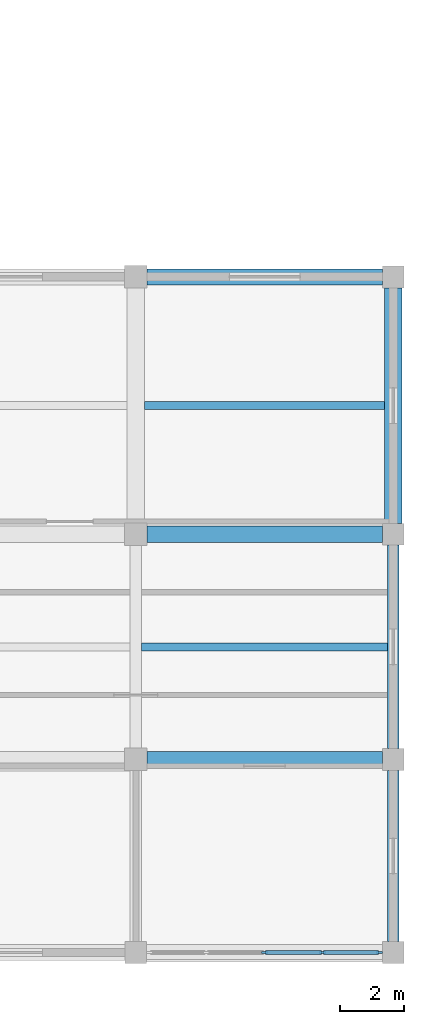
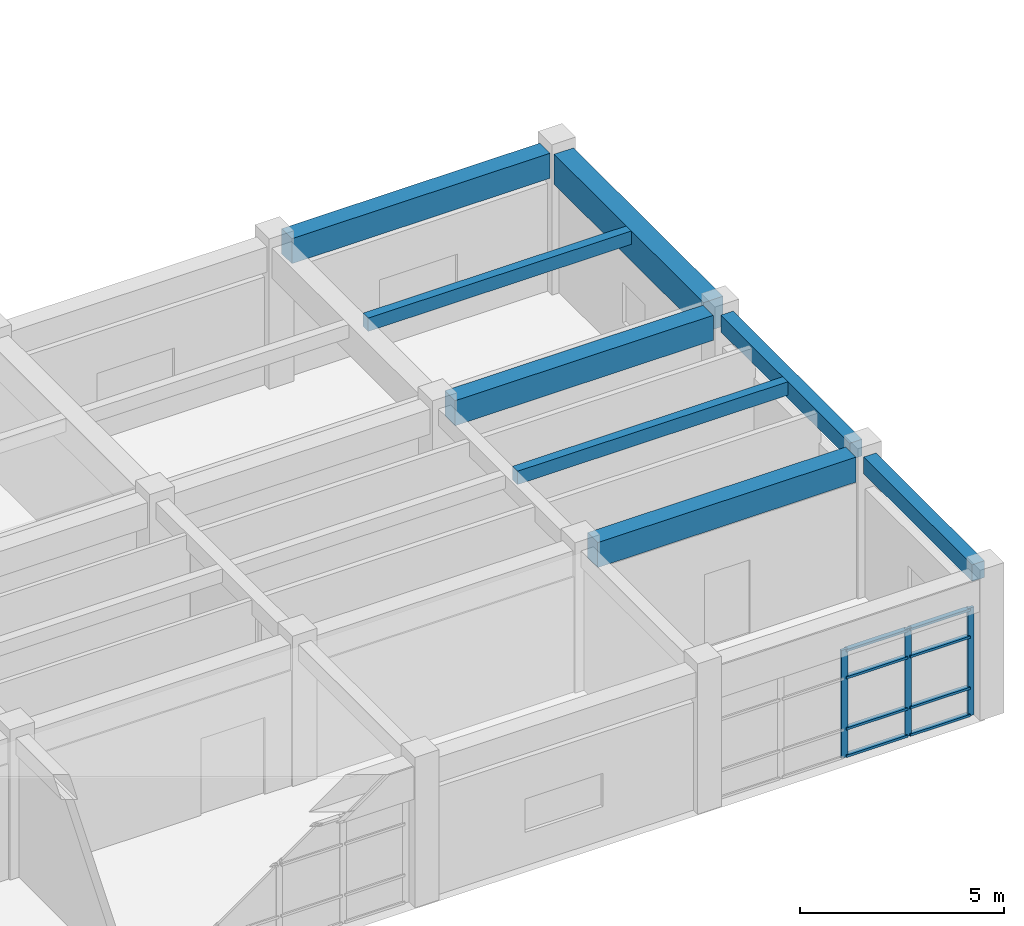
# One storey, part 35 of 72: 11 members, 8 beams, 1 element without a shape of its own.
"""IFC4 building model written with IfcOpenShell, lengths in metres."""

from ifc_helpers import new_model, si_unit, direction, frame, origin, origin_2d, place, context, subcontext, project, spatial, rectangle, extrude, material, layer, layer_set, material_profile, profile_set, type_object, element, aggregate, save


model = new_model("IFC4")

# Units and contexts
model_context = context("Model", 3, precision=1e-05, world=origin(), true_north=direction((0.0, 1.0)))
body_context = subcontext(model_context, "Body", "Model", "MODEL_VIEW")
ifc_project = project(units=[si_unit("LENGTHUNIT", "METRE"), si_unit("AREAUNIT", "SQUARE_METRE"), si_unit("VOLUMEUNIT", "CUBIC_METRE"), si_unit("PLANEANGLEUNIT", "RADIAN"), si_unit("MASSUNIT", "GRAM", prefix="KILO")], contexts=[model_context])

# Site, building, storey
site_placement = place(None, origin())
site = spatial("IfcSite", under=ifc_project, at=site_placement, CompositionType="ELEMENT")
building_placement = place(site_placement, origin())
building = spatial("IfcBuilding", under=site, at=building_placement, Name="Naurynzar Civic Courthouse", CompositionType="ELEMENT")
storey_placement = place(building_placement, frame((0.0, 0.0, 9.89990234375)))
storey = spatial("IfcBuildingStorey", under=building, at=storey_placement, Name="L03", CompositionType="ELEMENT", Elevation=9.89990234375)

# Beams
ifc_material_1 = material(Name="Concrete C40/50", Category="concrete")
ifc_material_profile_1 = material_profile(ifc_material_1, rectangle(XDim=0.25, YDim=0.39990234375, at=origin_2d()), Name="RCB 250x400")
ifc_profile_set_1 = profile_set([ifc_material_profile_1], Name="Concrete C40/50")
beam_type_1 = type_object("IfcBeamType", Name="BM-JST-250x400", PredefinedType="JOIST", material=ifc_profile_set_1)
beam_1_placement = place(storey_placement, frame((162.175048828125, 13.5, 4.0), z_axis=(1.0, 0.0, 0.0), x_axis=(0.0, 1.0, 0.0)))
element("IfcBeam", 1, at=beam_1_placement, inside=storey, type_object=beam_type_1, Name="V5 secondary rib 2475 L03", PredefinedType="JOIST", context=body_context, shape_type="SweptSolid", body=[
    extrude(rectangle(XDim=0.25, YDim=0.39990234375, at=origin_2d()), origin(), (0.0, 0.0, 1.0), 7.64990234375),
])
beam_2_placement = place(storey_placement, frame((162.27490234375, 21.0, 4.0), z_axis=(1.0, 0.0, 0.0), x_axis=(0.0, 1.0, 0.0)))
element("IfcBeam", 2, at=beam_2_placement, inside=storey, type_object=beam_type_1, Name="V5 secondary rib 2478 L03", PredefinedType="JOIST", context=body_context, shape_type="SweptSolid", body=[
    extrude(rectangle(XDim=0.25, YDim=0.39990234375, at=origin_2d()), origin(), (0.0, 0.0, 1.0), 7.4501953125),
])
ifc_material_2 = material(Name="Concrete C40/50", Category="concrete")
ifc_material_profile_2 = material_profile(ifc_material_2, rectangle(XDim=0.35009765625, YDim=0.5, at=origin_2d()), Name="RCB 350x500")
ifc_profile_set_2 = profile_set([ifc_material_profile_2], Name="Concrete C40/50")
beam_type_2 = type_object("IfcBeamType", Name="BM-RC-350x500", PredefinedType="BEAM", material=ifc_profile_set_2)
beam_3_placement = place(storey_placement, frame((170.0, 4.33740234375, 3.9501953125), z_axis=(0.0, 1.0, 0.0), x_axis=(-1.0, 0.0, 0.0)))
element("IfcBeam", 3, at=beam_3_placement, inside=storey, type_object=beam_type_2, Name="V5 girder Y-2465 L03", PredefinedType="BEAM", context=body_context, shape_type="SweptSolid", body=[
    extrude(rectangle(XDim=0.35009765625, YDim=0.5, at=origin_2d()), origin(), (0.0, 0.0, 1.0), 5.3251953125),
])
beam_4_placement = place(storey_placement, frame((170.0, 10.33740234375, 3.9501953125), z_axis=(0.0, 1.0, 0.0), x_axis=(-1.0, 0.0, 0.0)))
element("IfcBeam", 4, at=beam_4_placement, inside=storey, type_object=beam_type_2, Name="V5 girder Y-2466 L03", PredefinedType="BEAM", context=body_context, shape_type="SweptSolid", body=[
    extrude(rectangle(XDim=0.35009765625, YDim=0.5, at=origin_2d()), origin(), (0.0, 0.0, 1.0), 6.3251953125),
])
ifc_material_3 = material(Name="Concrete C40/50", Category="concrete")
ifc_material_profile_3 = material_profile(ifc_material_3, rectangle(XDim=0.5, YDim=0.75, at=origin_2d()), Name="RCB 500x750")
ifc_profile_set_3 = profile_set([ifc_material_profile_3], Name="Concrete C40/50")
beam_type_3 = type_object("IfcBeamType", Name="BM-RC-500x750", PredefinedType="BEAM", material=ifc_profile_set_3)
for number, where, z_axis, x_axis, name in (
    (5, (162.35009765625, 10.0, 3.8251953125), (1.0, 0.0, 0.0), (0.0, 1.0, 0.0), "V5 beam X-2386 L03"),
    (6, (162.35009765625, 17.0, 3.8251953125), (1.0, 0.0, 0.0), (0.0, 1.0, 0.0), "V5 beam X-2391 L03"),
    (7, (162.35009765625, 25.0, 3.8251953125), (1.0, 0.0, 0.0), (0.0, 1.0, 0.0), "V5 beam X-2396 L03"),
):
    element("IfcBeam", number, at=place(storey_placement, frame(where, z_axis=z_axis, x_axis=x_axis)), inside=storey, type_object=beam_type_3, Name=name, PredefinedType="BEAM", context=body_context, shape_type="SweptSolid", body=[
        extrude(rectangle(XDim=0.5, YDim=0.75, at=origin_2d()), origin(), (0.0, 0.0, 1.0), 7.3125),
    ])
ifc_material_4 = material(Name="Concrete C40/50", Category="concrete")
ifc_material_profile_4 = material_profile(ifc_material_4, rectangle(XDim=0.550048828125, YDim=0.89990234375, at=origin_2d()), Name="RCB 550x900")
ifc_profile_set_4 = profile_set([ifc_material_profile_4], Name="Concrete C40/50")
beam_type_4 = type_object("IfcBeamType", Name="BM-RC-550x900", PredefinedType="T_BEAM", material=ifc_profile_set_4)
beam_5_placement = place(storey_placement, frame((170.0, 17.33740234375, 3.75), z_axis=(0.0, 1.0, 0.0), x_axis=(-1.0, 0.0, 0.0)))
element("IfcBeam", 8, at=beam_5_placement, inside=storey, type_object=beam_type_4, Name="V5 girder Y-2467 L03", PredefinedType="T_BEAM", context=body_context, shape_type="SweptSolid", body=[
    extrude(rectangle(XDim=0.550048828125, YDim=0.89990234375, at=origin_2d()), origin(), (0.0, 0.0, 1.0), 7.3251953125),
])

# Curtain wall, members
ifc_material_5 = material(Name="Aluminium 6063-T6", Category="aluminium")
ifc_layer = layer(ifc_material_5, 0.159912109375)
ifc_layer_set = layer_set([ifc_layer], Name="CW-UNIT-1800")
curtain_wall_type = type_object("IfcCurtainWallType", Name="CW-UNIT-1800", PredefinedType="NOTDEFINED", material=ifc_layer_set)
curtain_wall_placement = place(storey_placement, origin())
curtain_wall = element("IfcCurtainWall", 9, at=curtain_wall_placement, inside=storey, type_object=curtain_wall_type, Name="V5 unitised curtain wall 94 L03", PredefinedType="NOTDEFINED")
ifc_material_6 = material(Name="Aluminium 6063-T6", Category="aluminium")
ifc_material_profile_5 = material_profile(ifc_material_6, rectangle(XDim=0.070068359375, YDim=0.179931640625, at=origin_2d()), Name="ALU MULLION 70x180")
ifc_profile_set_5 = profile_set([ifc_material_profile_5], Name="Aluminium 6063-T6")
member_type_1 = type_object("IfcMemberType", Name="CWM-70x180", PredefinedType="MULLION", material=ifc_profile_set_5)
member_1_placement = place(storey_placement, frame((169.577392578125, 4.0, 0.0), z_axis=(0.0, 0.0, 1.0), x_axis=(0.0, -1.0, 0.0)))
member_1 = element("IfcMember", 10, at=member_1_placement, type_object=member_type_1, Name="CW-02 mullion 1", PredefinedType="MULLION", context=body_context, shape_type="SweptSolid", body=[
    extrude(rectangle(XDim=0.070068359375, YDim=0.179931640625, at=origin_2d()), origin(), (0.0, 0.0, 1.0), 3.22998046875),
])
member_2_placement = place(storey_placement, frame((167.80615234375, 4.0, 0.0), z_axis=(0.0, 0.0, 1.0), x_axis=(0.0, -1.0, 0.0)))
member_2 = element("IfcMember", 11, at=member_2_placement, type_object=member_type_1, Name="CW-02 mullion 2", PredefinedType="MULLION", context=body_context, shape_type="SweptSolid", body=[
    extrude(rectangle(XDim=0.070068359375, YDim=0.179931640625, at=origin_2d()), origin(), (0.0, 0.0, 1.0), 3.22998046875),
])
member_3_placement = place(storey_placement, frame((166.0, 4.0, 0.0), z_axis=(0.0, 0.0, 1.0), x_axis=(0.0, -1.0, 0.0)))
member_3 = element("IfcMember", 12, at=member_3_placement, type_object=member_type_1, Name="CW-02 mullion 3", PredefinedType="MULLION", context=body_context, shape_type="SweptSolid", body=[
    extrude(rectangle(XDim=0.070068359375, YDim=0.179931640625, at=origin_2d()), origin(), (0.0, 0.0, 1.0), 3.22998046875),
])
ifc_material_7 = material(Name="Aluminium 6063-T6", Category="aluminium")
ifc_material_profile_6 = material_profile(ifc_material_7, rectangle(XDim=0.1298828125, YDim=0.070068359375, at=origin_2d()), Name="ALU TRANSOM 70x130")
ifc_profile_set_6 = profile_set([ifc_material_profile_6], Name="Aluminium 6063-T6")
member_type_2 = type_object("IfcMemberType", Name="CWT-70x130", PredefinedType="USERDEFINED", material=ifc_profile_set_6)
member_4_placement = place(storey_placement, frame((169.54248046875, 4.0, 0.03515625), z_axis=(-1.0, 0.0, 0.0), x_axis=(0.0, -1.0, 0.0)))
member_4 = element("IfcMember", 13, at=member_4_placement, type_object=member_type_2, Name="CW-02 transom 1.1", ObjectType="TRANSOM", PredefinedType="USERDEFINED", context=body_context, shape_type="SweptSolid", body=[
    extrude(rectangle(XDim=0.1298828125, YDim=0.070068359375, at=origin_2d()), origin(), (0.0, 0.0, 1.0), 1.701171875),
])
member_5_placement = place(storey_placement, frame((169.54248046875, 4.0, 0.85009765625), z_axis=(-1.0, 0.0, 0.0), x_axis=(0.0, -1.0, 0.0)))
member_5 = element("IfcMember", 14, at=member_5_placement, type_object=member_type_2, Name="CW-02 transom 1.2", ObjectType="TRANSOM", PredefinedType="USERDEFINED", context=body_context, shape_type="SweptSolid", body=[
    extrude(rectangle(XDim=0.1298828125, YDim=0.070068359375, at=origin_2d()), origin(), (0.0, 0.0, 1.0), 1.701171875),
])
member_6_placement = place(storey_placement, frame((169.54248046875, 4.0, 2.380126953125), z_axis=(-1.0, 0.0, 0.0), x_axis=(0.0, -1.0, 0.0)))
member_6 = element("IfcMember", 15, at=member_6_placement, type_object=member_type_2, Name="CW-02 transom 1.3", ObjectType="TRANSOM", PredefinedType="USERDEFINED", context=body_context, shape_type="SweptSolid", body=[
    extrude(rectangle(XDim=0.1298828125, YDim=0.070068359375, at=origin_2d()), origin(), (0.0, 0.0, 1.0), 1.701171875),
])
member_7_placement = place(storey_placement, frame((169.54248046875, 4.0, 3.195068359375), z_axis=(-1.0, 0.0, 0.0), x_axis=(0.0, -1.0, 0.0)))
member_7 = element("IfcMember", 16, at=member_7_placement, type_object=member_type_2, Name="CW-02 transom 1.4", ObjectType="TRANSOM", PredefinedType="USERDEFINED", context=body_context, shape_type="SweptSolid", body=[
    extrude(rectangle(XDim=0.1298828125, YDim=0.070068359375, at=origin_2d()), origin(), (0.0, 0.0, 1.0), 1.701171875),
])
member_8_placement = place(storey_placement, frame((167.771240234375, 4.0, 0.03515625), z_axis=(-1.0, 0.0, 0.0), x_axis=(0.0, -1.0, 0.0)))
member_8 = element("IfcMember", 17, at=member_8_placement, type_object=member_type_2, Name="CW-02 transom 2.1", ObjectType="TRANSOM", PredefinedType="USERDEFINED", context=body_context, shape_type="SweptSolid", body=[
    extrude(rectangle(XDim=0.1298828125, YDim=0.070068359375, at=origin_2d()), origin(), (0.0, 0.0, 1.0), 1.736328125),
])
member_9_placement = place(storey_placement, frame((167.771240234375, 4.0, 0.85009765625), z_axis=(-1.0, 0.0, 0.0), x_axis=(0.0, -1.0, 0.0)))
member_9 = element("IfcMember", 18, at=member_9_placement, type_object=member_type_2, Name="CW-02 transom 2.2", ObjectType="TRANSOM", PredefinedType="USERDEFINED", context=body_context, shape_type="SweptSolid", body=[
    extrude(rectangle(XDim=0.1298828125, YDim=0.070068359375, at=origin_2d()), origin(), (0.0, 0.0, 1.0), 1.736328125),
])
member_10_placement = place(storey_placement, frame((167.771240234375, 4.0, 2.380126953125), z_axis=(-1.0, 0.0, 0.0), x_axis=(0.0, -1.0, 0.0)))
member_10 = element("IfcMember", 19, at=member_10_placement, type_object=member_type_2, Name="CW-02 transom 2.3", ObjectType="TRANSOM", PredefinedType="USERDEFINED", context=body_context, shape_type="SweptSolid", body=[
    extrude(rectangle(XDim=0.1298828125, YDim=0.070068359375, at=origin_2d()), origin(), (0.0, 0.0, 1.0), 1.736328125),
])
member_11_placement = place(storey_placement, frame((167.771240234375, 4.0, 3.195068359375), z_axis=(-1.0, 0.0, 0.0), x_axis=(0.0, -1.0, 0.0)))
member_11 = element("IfcMember", 20, at=member_11_placement, type_object=member_type_2, Name="CW-02 transom 2.4", ObjectType="TRANSOM", PredefinedType="USERDEFINED", context=body_context, shape_type="SweptSolid", body=[
    extrude(rectangle(XDim=0.1298828125, YDim=0.070068359375, at=origin_2d()), origin(), (0.0, 0.0, 1.0), 1.736328125),
])
aggregate(curtain_wall, [member_1, member_2, member_3, member_4, member_5, member_6, member_7, member_8, member_9, member_10, member_11])

save(model, "model.ifc")
